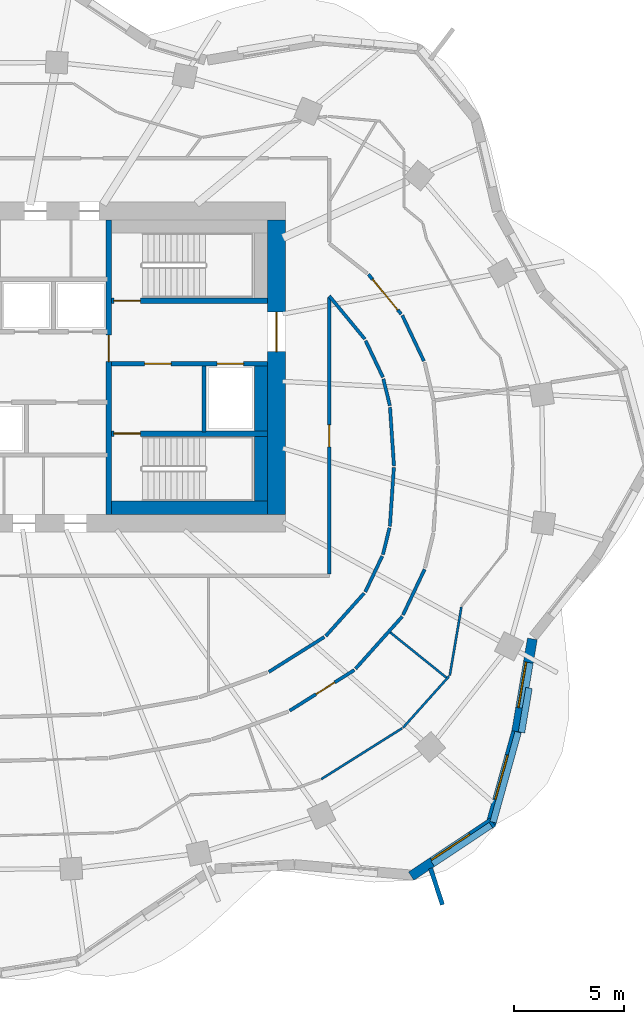
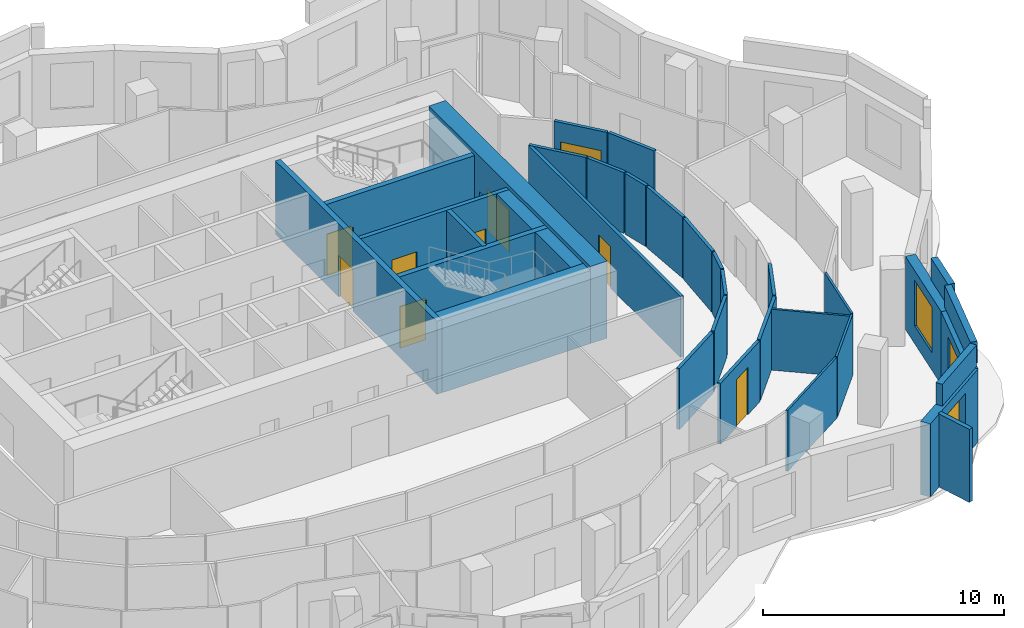
# One storey, part 6 of 10: 35 walls, 9 doors, 3 windows, 12 openings.
"""IFC4 building model written with IfcOpenShell, lengths in metres."""

import ifcopenshell
import ifcopenshell.guid

model = None  # the IFC model being written
_history = None  # IfcOwnerHistory: only IFC2X3 demands one
_inside = {}  # id of a spatial element -> (the spatial element, [elements in it])
_under = {}  # id of a project, library or spatial element -> (it, [spatial elements below it])
_declared = {}  # id of a project -> (the project, [libraries it declares])
_typed = {}  # id of a type object -> (the type object, [elements of that type])
_made_of = {}  # id of a material, layer set ... -> (it, [elements and type objects made of it])


def new_model(schema):
    """Start an empty IFC model of exactly this schema.

    Asked for "IFC4X3", IfcOpenShell would pick the latest addendum, in which some entities
    have other attributes; the version numbers below select the first issue.
    IFC2X3 requires an IfcOwnerHistory on every rooted entity: one is made here for all.
    """
    global model, _history
    if schema == "IFC4X3":
        model = ifcopenshell.file(schema_version=(4, 3, 0, 0))
    else:
        model = ifcopenshell.file(schema=schema)
    _inside.clear()
    _under.clear()
    _declared.clear()
    _typed.clear()
    _made_of.clear()
    _history = None
    if model.schema == "IFC2X3":
        org = make("IfcOrganization", Name="unknown")
        user = make(
            "IfcPersonAndOrganization",
            ThePerson=make("IfcPerson", FamilyName="unknown"),
            TheOrganization=org,
        )
        app = make(
            "IfcApplication",
            ApplicationDeveloper=org,
            Version="unknown",
            ApplicationFullName="unknown",
            ApplicationIdentifier="unknown",
        )
        _history = make(
            "IfcOwnerHistory",
            OwningUser=user,
            OwningApplication=app,
            ChangeAction="ADDED",
            CreationDate=0,
        )
    return model


def make(cls, **values):
    """One entity of the class cls with the attributes given. An attribute that is None is left unset."""
    return model.create_entity(
        cls, **{name: value for name, value in values.items() if value is not None}
    )


def rooted(cls, **values):
    """An entity with a GlobalId (a new one), such as an element, a storey or a relation."""
    return make(cls, GlobalId=ifcopenshell.guid.new(), OwnerHistory=_history, **values)


def si_unit(unit_type, name, prefix=None):
    """IfcSIUnit, for example si_unit("LENGTHUNIT", "METRE", prefix="MILLI")."""
    return make("IfcSIUnit", UnitType=unit_type, Prefix=prefix, Name=name)


def assignment(units):
    """IfcUnitAssignment: the units of a project."""
    return None if units is None else make("IfcUnitAssignment", Units=units)


def point(xyz):
    """IfcCartesianPoint."""
    return None if xyz is None else make("IfcCartesianPoint", Coordinates=xyz)


def direction(xyz):
    """IfcDirection."""
    return None if xyz is None else make("IfcDirection", DirectionRatios=xyz)


def frame(location, z_axis=None, x_axis=None):
    """IfcAxis2Placement3D, a coordinate frame: its origin and axes. An axis left out is left unset."""
    return make(
        "IfcAxis2Placement3D",
        Location=point(location),
        Axis=direction(z_axis),
        RefDirection=direction(x_axis),
    )


def frame_2d(location, x_axis=None):
    """IfcAxis2Placement2D, a coordinate frame in the plane: its origin and x axis."""
    return make(
        "IfcAxis2Placement2D", Location=point(location), RefDirection=direction(x_axis)
    )


def origin():
    """The frame at (0, 0, 0) with its axes left unset."""
    return frame((0.0, 0.0, 0.0))


def place(relative_to, where):
    """IfcLocalPlacement: puts the frame where relative to a parent placement (None: the world)."""
    return make(
        "IfcLocalPlacement", PlacementRelTo=relative_to, RelativePlacement=where
    )


def context(
    kind, dimensions, precision=None, world=None, true_north=None, identifier=None
):
    """IfcGeometricRepresentationContext, for example the 3D "Model" context."""
    return make(
        "IfcGeometricRepresentationContext",
        ContextIdentifier=identifier,
        ContextType=kind,
        CoordinateSpaceDimension=dimensions,
        Precision=precision,
        WorldCoordinateSystem=world,
        TrueNorth=true_north,
    )


def subcontext(parent, identifier, kind, view, scale=None):
    """IfcGeometricRepresentationSubContext, for example "Body" below "Model"."""
    return make(
        "IfcGeometricRepresentationSubContext",
        ContextIdentifier=identifier,
        ContextType=kind,
        ParentContext=parent,
        TargetScale=scale,
        TargetView=view,
    )


def project(units=None, contexts=None):
    """IfcProject with its units and contexts."""
    return rooted(
        "IfcProject",
        Name="project",
        RepresentationContexts=contexts,
        UnitsInContext=assignment(units),
    )


def spatial(cls, under=None, at=None, **own):
    """A site, building, storey or space (cls), placed at a placement, below another one or the project."""
    s = rooted(cls, ObjectPlacement=at, **own)
    if under is not None:
        _under.setdefault(under.id(), (under, []))[1].append(s)
    return s


def profile(cls, at=None, kind="AREA", **sizes):
    """A parametric profile (cls). Its sizes go by their IFC names, for example OverallWidth=200.0."""
    return make(cls, ProfileType=kind, Position=at, **sizes)


def rectangle(**sizes):
    """IfcRectangleProfileDef."""
    return profile("IfcRectangleProfileDef", **sizes)


def extrude(swept, where, along, depth):
    """IfcExtrudedAreaSolid: the profile swept, set in the frame where, extruded along a direction by depth."""
    return make(
        "IfcExtrudedAreaSolid",
        SweptArea=swept,
        Position=where,
        ExtrudedDirection=direction(along),
        Depth=depth,
    )


def shape(context_of_items, identifier, shape_type, items):
    """IfcShapeRepresentation: the items that make up one representation, for example the "Body"."""
    return make(
        "IfcShapeRepresentation",
        ContextOfItems=context_of_items,
        RepresentationIdentifier=identifier,
        RepresentationType=shape_type,
        Items=items,
    )


def material(Name=None, Category=None):
    """IfcMaterial."""
    return make("IfcMaterial", Name=Name, Category=Category)


def layer(
    of_material, thickness, ventilated=None, Name=None, Category=None, Priority=None
):
    """IfcMaterialLayer: one layer of a wall or slab, of a material (None: an air gap)."""
    return make(
        "IfcMaterialLayer",
        Material=of_material,
        LayerThickness=thickness,
        IsVentilated=ventilated,
        Name=Name,
        Category=Category,
        Priority=Priority,
    )


def layer_set(layers, Name=None):
    """IfcMaterialLayerSet."""
    return make("IfcMaterialLayerSet", MaterialLayers=layers, LayerSetName=Name)


def made_of(thing, what):
    """Note that an element or type object is made of a material, layer set ...; save() writes the relation."""
    if what is not None:
        _made_of.setdefault(what.id(), (what, []))[1].append(thing)
    return thing


def type_object(cls, material=None, **own):
    """A type object (cls), such as IfcWallType, which elements share."""
    return made_of(rooted(cls, **own), material)


def element(
    cls,
    number,
    at=None,
    inside=None,
    cuts=None,
    type_object=None,
    material=None,
    context=None,
    identifier="Body",
    shape_type=None,
    held_by="IfcProductDefinitionShape",
    body=None,
    shapes=None,
    **own,
):
    """One element of the class cls, such as IfcWall. Its Tag is "e" and its number.

    at: its placement. inside: the storey or other place that contains it. cuts: it is an
    opening in that element (IfcRelVoidsElement). A single representation is given by context,
    identifier, shape_type and body (its items); several are given by shapes. held_by: the class
    of the entity that holds the representations. save() writes the other relations.
    """
    e = rooted(cls, Tag="e%d" % number, ObjectPlacement=at, **own)
    if body is not None:
        shapes = [shape(context, identifier, shape_type, body)]
    if shapes is not None:
        e.Representation = make(held_by, Representations=shapes)
    if inside is not None:
        _inside.setdefault(inside.id(), (inside, []))[1].append(e)
    if cuts is not None:
        rooted(
            "IfcRelVoidsElement", RelatingBuildingElement=cuts, RelatedOpeningElement=e
        )
    if type_object is not None:
        _typed.setdefault(type_object.id(), (type_object, []))[1].append(e)
    return made_of(e, material)


def fill(opening, filler):
    """IfcRelFillsElement: the door or window that sits in an opening."""
    return rooted(
        "IfcRelFillsElement",
        RelatingOpeningElement=opening,
        RelatedBuildingElement=filler,
    )


def aggregate(whole, parts):
    """IfcRelAggregates: a whole, such as a stair, and the parts it consists of."""
    return rooted("IfcRelAggregates", RelatingObject=whole, RelatedObjects=parts)


def save(model, path):
    """Write the relations noted so far, then the file.

    IfcRelAggregates (storeys below a building ...), IfcRelContainedInSpatialStructure (elements
    in a storey), IfcRelDefinesByType, IfcRelAssociatesMaterial and IfcRelDeclares: one each for
    every whole, place, type object, material and project.
    """
    for whole, parts in _under.values():
        aggregate(whole, parts)
    for where, things in _inside.values():
        rooted(
            "IfcRelContainedInSpatialStructure",
            RelatedElements=things,
            RelatingStructure=where,
        )
    for kind, things in _typed.values():
        rooted("IfcRelDefinesByType", RelatedObjects=things, RelatingType=kind)
    for what, things in _made_of.values():
        rooted("IfcRelAssociatesMaterial", RelatedObjects=things, RelatingMaterial=what)
    for by, libraries in _declared.values():
        rooted("IfcRelDeclares", RelatingContext=by, RelatedDefinitions=libraries)
    model.write(path)


model = new_model("IFC4")

# Units and contexts
model_context = context("Model", 3, precision=1e-05, world=origin(), true_north=direction((0.0, 1.0)))
body_context = subcontext(model_context, "Body", "Model", "MODEL_VIEW")
ifc_project = project(units=[si_unit("LENGTHUNIT", "METRE"), si_unit("AREAUNIT", "SQUARE_METRE"), si_unit("VOLUMEUNIT", "CUBIC_METRE"), si_unit("PLANEANGLEUNIT", "RADIAN"), si_unit("MASSUNIT", "GRAM", prefix="KILO")], contexts=[model_context])

# Site, building, storey
site_placement = place(None, origin())
site = spatial("IfcSite", under=ifc_project, at=site_placement, CompositionType="ELEMENT")
building_placement = place(site_placement, origin())
building = spatial("IfcBuilding", under=site, at=building_placement, Name="Rubra Terraces Tower", CompositionType="ELEMENT")
storey_placement = place(building_placement, frame((0.0, 0.0, 205.199951171875)))
storey = spatial("IfcBuildingStorey", under=building, at=storey_placement, Name="L50", CompositionType="ELEMENT", Elevation=205.199951171875)

# Wall, opening, window
ifc_material_1 = material(Name="Brick masonry red-brown", Category="masonry")
ifc_layer_1 = layer(ifc_material_1, 0.449951171875)
ifc_layer_set_1 = layer_set([ifc_layer_1], Name="Brick masonry red-brown")
wall_type_1 = type_object("IfcWallType", Name="Brick facade wall 450", PredefinedType="SOLIDWALL", material=ifc_layer_set_1)
wall_1_placement = place(storey_placement, frame((18.7255859375, -18.66259765625, 0.0), z_axis=(0.0, 0.0, 1.0), x_axis=(0.83333921474, 0.552761931736, 0.0)))
wall_1 = element("IfcWall", 1, at=wall_1_placement, inside=storey, type_object=wall_type_1, Name="Facade wall L50 bay 36", PredefinedType="SOLIDWALL", context=body_context, shape_type="SweptSolid", body=[
    extrude(rectangle(XDim=4.45068359375, YDim=0.449951171875, at=frame_2d((2.225341796875, 0.0))), origin(), (0.0, 0.0, 1.0), 3.699951171875),
])
opening_1_placement = place(wall_1_placement, frame((1.17529296875, 0.0, 0.89990234375)))
opening_1 = element("IfcOpeningElement", 2, at=opening_1_placement, cuts=wall_1, Name="Opening W1B", PredefinedType="OPENING", context=body_context, shape_type="SweptSolid", body=[
    extrude(rectangle(XDim=2.10009765625, YDim=2.300048828125, at=frame_2d((1.050048828125, 1.14990234375))), frame((0.0, 0.23486328125, 0.0), z_axis=(0.0, -1.0, 0.0), x_axis=(1.0, 0.0, 0.0)), (0.0, 0.0, 1.0), 0.469970703125),
])
ifc_material_2 = material(Name="Clear glass in aluminium frame", Category="aluminium")
window_type = type_object("IfcWindowType", Name="Fixed deep-set window tall storey 2100 x 2300", PartitioningType="SINGLE_PANEL", PredefinedType="WINDOW", material=ifc_material_2)
window_1_placement = place(opening_1_placement, origin())
window_1 = element("IfcWindow", 3, at=window_1_placement, inside=storey, type_object=window_type, Name="Window L50 bay 36", OverallHeight=2.300048828125, OverallWidth=2.10009765625, PartitioningType="SINGLE_PANEL", PredefinedType="WINDOW", context=body_context, shape_type="SweptSolid", body=[
    extrude(rectangle(XDim=2.10009765625, YDim=2.300048828125, at=frame_2d((1.050048828125, 1.14990234375))), frame((0.0, 0.135009765625, 0.0), z_axis=(0.0, -1.0, 0.0), x_axis=(1.0, 0.0, 0.0)), (0.0, 0.0, 1.0), 0.06005859375),
])
fill(opening_1, window_1)

wall_2_placement = place(storey_placement, frame((22.343505859375, -16.32568359375, 0.0), z_axis=(0.0, 0.0, 1.0), x_axis=(0.267925456304, 0.963439645159, 0.0)))
wall_2 = element("IfcWall", 4, at=wall_2_placement, inside=storey, type_object=wall_type_1, Name="Facade wall L50 bay 37", PredefinedType="SOLIDWALL", context=body_context, shape_type="SweptSolid", body=[
    extrude(rectangle(XDim=4.4267578125, YDim=0.449951171875, at=frame_2d((2.21337890625, 0.0))), origin(), (0.0, 0.0, 1.0), 3.699951171875),
])
opening_2_placement = place(wall_2_placement, frame((1.16357421875, 0.0, 0.89990234375)))
opening_2 = element("IfcOpeningElement", 5, at=opening_2_placement, cuts=wall_2, Name="Opening W1B", PredefinedType="OPENING", context=body_context, shape_type="SweptSolid", body=[
    extrude(rectangle(XDim=2.10009765625, YDim=2.300048828125, at=frame_2d((1.050048828125, 1.14990234375))), frame((0.0, 0.23486328125, 0.0), z_axis=(0.0, -1.0, 0.0), x_axis=(1.0, 0.0, 0.0)), (0.0, 0.0, 1.0), 0.469970703125),
])
window_2_placement = place(opening_2_placement, origin())
window_2 = element("IfcWindow", 6, at=window_2_placement, inside=storey, type_object=window_type, Name="Window L50 bay 37", OverallHeight=2.300048828125, OverallWidth=2.10009765625, PartitioningType="SINGLE_PANEL", PredefinedType="WINDOW", context=body_context, shape_type="SweptSolid", body=[
    extrude(rectangle(XDim=2.10009765625, YDim=2.300048828125, at=frame_2d((1.050048828125, 1.14990234375))), frame((0.0, 0.135009765625, 0.0), z_axis=(0.0, -1.0, 0.0), x_axis=(1.0, 0.0, 0.0)), (0.0, 0.0, 1.0), 0.06005859375),
])
fill(opening_2, window_2)

wall_3_placement = place(storey_placement, frame((23.524169921875, -12.0830078125, 0.0), z_axis=(0.0, 0.0, 1.0), x_axis=(0.167445072349, 0.985881406532, 0.0)))
wall_3 = element("IfcWall", 7, at=wall_3_placement, inside=storey, type_object=wall_type_1, Name="Facade wall L50 bay 38", PredefinedType="SOLIDWALL", context=body_context, shape_type="SweptSolid", body=[
    extrude(rectangle(XDim=4.27490234375, YDim=0.449951171875, at=frame_2d((2.137451171875, 0.0))), origin(), (0.0, 0.0, 1.0), 3.699951171875),
])
opening_3_placement = place(wall_3_placement, frame((1.08740234375, 0.0, 0.89990234375)))
opening_3 = element("IfcOpeningElement", 8, at=opening_3_placement, cuts=wall_3, Name="Opening W1B", PredefinedType="OPENING", context=body_context, shape_type="SweptSolid", body=[
    extrude(rectangle(XDim=2.10009765625, YDim=2.300048828125, at=frame_2d((1.050048828125, 1.14990234375))), frame((0.0, 0.23486328125, 0.0), z_axis=(0.0, -1.0, 0.0), x_axis=(1.0, 0.0, 0.0)), (0.0, 0.0, 1.0), 0.469970703125),
])
window_3_placement = place(opening_3_placement, origin())
window_3 = element("IfcWindow", 9, at=window_3_placement, inside=storey, type_object=window_type, Name="Window L50 bay 38", OverallHeight=2.300048828125, OverallWidth=2.10009765625, PartitioningType="SINGLE_PANEL", PredefinedType="WINDOW", context=body_context, shape_type="SweptSolid", body=[
    extrude(rectangle(XDim=2.10009765625, YDim=2.300048828125, at=frame_2d((1.050048828125, 1.14990234375))), frame((0.0, 0.135009765625, 0.0), z_axis=(0.0, -1.0, 0.0), x_axis=(1.0, 0.0, 0.0)), (0.0, 0.0, 1.0), 0.06005859375),
])
fill(opening_3, window_3)

# Walls
ifc_layer_2 = layer(ifc_material_1, 0.300048828125)
ifc_layer_set_2 = layer_set([ifc_layer_2], Name="Brick masonry red-brown")
wall_type_2 = type_object("IfcWallType", Name="Brick parapet 300", PredefinedType="PARAPET", material=ifc_layer_set_2)
wall_4_placement = place(storey_placement, frame((19.70751953125, -18.101318359375, 3.900146484375), z_axis=(0.0, 0.0, 1.0), x_axis=(0.833370664286, 0.552714515738, 0.0)))
element("IfcWall", 10, at=wall_4_placement, inside=storey, type_object=wall_type_2, Name="Parapet L50 bay 36", PredefinedType="PARAPET", context=body_context, shape_type="SweptSolid", body=[
    extrude(rectangle(XDim=3.180419921875, YDim=0.300048828125, at=frame_2d((1.59033203125, 0.0))), origin(), (0.0, 0.0, 1.0), 1.099853515625),
])
wall_5_placement = place(storey_placement, frame((22.452392578125, -16.213134765625, 3.900146484375), z_axis=(0.0, 0.0, 1.0), x_axis=(0.267993020858, 0.963420853403, 0.0)))
element("IfcWall", 11, at=wall_5_placement, inside=storey, type_object=wall_type_2, Name="Parapet L50 bay 37", PredefinedType="PARAPET", context=body_context, shape_type="SweptSolid", body=[
    extrude(rectangle(XDim=4.25537109375, YDim=0.300048828125, at=frame_2d((2.127685546875, 0.0))), origin(), (0.0, 0.0, 1.0), 1.099853515625),
])
wall_6_placement = place(storey_placement, frame((23.7451171875, -12.125, 3.900146484375), z_axis=(0.0, 0.0, 1.0), x_axis=(0.16743218322, 0.985883595574, 0.0)))
element("IfcWall", 12, at=wall_6_placement, inside=storey, type_object=wall_type_2, Name="Parapet L50 bay 38", PredefinedType="PARAPET", context=body_context, shape_type="SweptSolid", body=[
    extrude(rectangle(XDim=2.048583984375, YDim=0.300048828125, at=frame_2d((1.0244140625, 0.0))), origin(), (0.0, 0.0, 1.0), 1.099853515625),
])
ifc_layer_3 = layer(ifc_material_1, 0.199951171875)
ifc_layer_set_3 = layer_set([ifc_layer_3], Name="Brick masonry red-brown")
wall_type_3 = type_object("IfcWallType", Name="Brick wind fin 200", PredefinedType="SOLIDWALL", material=ifc_layer_set_3)
wall_7_placement = place(storey_placement, frame((19.60888671875, -18.304931640625, 0.0), z_axis=(0.0, 0.0, 1.0), x_axis=(0.308600224758, -0.951191832008, 0.0)))
element("IfcWall", 13, at=wall_7_placement, inside=storey, type_object=wall_type_3, Name="Wind fin L50 22", PredefinedType="SOLIDWALL", context=body_context, shape_type="SweptSolid", body=[
    extrude(rectangle(XDim=1.75, YDim=0.199951171875, at=frame_2d((0.875, 0.0))), origin(), (0.0, 0.0, 1.0), 3.699951171875),
])

# Wall, opening, door
ifc_material_3 = material(Name="Concrete C50", Category="concrete")
ifc_layer_4 = layer(ifc_material_3, 0.800048828125)
ifc_layer_set_4 = layer_set([ifc_layer_4], Name="Concrete C50")
wall_type_4 = type_object("IfcWallType", Name="CORE WALL 800 C50", PredefinedType="SHEAR", material=ifc_layer_set_4)
wall_8_placement = place(storey_placement, frame((12.60009765625, -2.199951171875, 0.0), z_axis=(0.0, 0.0, 1.0), x_axis=(0.0, 1.0, 0.0)))
wall_8 = element("IfcWall", 14, at=wall_8_placement, inside=storey, type_object=wall_type_4, Name="CORE WALL E L50", PredefinedType="SHEAR", context=body_context, shape_type="SweptSolid", body=[
    extrude(rectangle(XDim=13.39990234375, YDim=0.800048828125, at=frame_2d((6.699951171875, 0.0))), origin(), (0.0, 0.0, 1.0), 3.900146484375),
])
opening_4_placement = place(wall_8_placement, frame((7.39990234375, 0.0, 0.0)))
opening_4 = element("IfcOpeningElement", 15, at=opening_4_placement, cuts=wall_8, Name="Opening L50.C02", PredefinedType="OPENING", context=body_context, shape_type="SweptSolid", body=[
    extrude(rectangle(XDim=1.800048828125, YDim=2.10009765625, at=frame_2d((0.89990234375, 1.050048828125))), frame((0.0, 0.409912109375, 0.0), z_axis=(0.0, -1.0, 0.0), x_axis=(1.0, 0.0, 0.0)), (0.0, 0.0, 1.0), 0.820068359375),
])
ifc_material_4 = material(Name="Painted steel", Category="steel")
door_type_1 = type_object("IfcDoorType", Name="Fire door 1800x2100 double", OperationType="NOTDEFINED", PredefinedType="DOOR", material=ifc_material_4)
door_1_placement = place(opening_4_placement, origin())
door_1 = element("IfcDoor", 16, at=door_1_placement, inside=storey, type_object=door_type_1, Name="Core entrance door FF2", OperationType="DOUBLE_DOOR_SINGLE_SWING", OverallHeight=2.10009765625, OverallWidth=1.800048828125, PredefinedType="DOOR", context=body_context, shape_type="SweptSolid", body=[
    extrude(rectangle(XDim=1.800048828125, YDim=2.10009765625, at=frame_2d((0.89990234375, 1.050048828125))), frame((0.0, 0.02490234375, 0.0), z_axis=(0.0, -1.0, 0.0), x_axis=(1.0, 0.0, 0.0)), (0.0, 0.0, 1.0), 0.050048828125),
])
fill(opening_4, door_1)

ifc_material_5 = material(Name="Plasterboard on steel stud, mineral wool infill", Category="steel")
ifc_layer_5 = layer(ifc_material_5, 0.14990234375)
ifc_layer_set_5 = layer_set([ifc_layer_5], Name="Plasterboard on steel stud, mineral wool infill")
wall_type_5 = type_object("IfcWallType", Name="CORRIDOR PARTITION 150", PredefinedType="PARTITIONING", material=ifc_layer_set_5)
wall_9_placement = place(storey_placement, frame((13.196533203125, -11.138916015625, 0.0), z_axis=(0.0, 0.0, 1.0), x_axis=(0.846390903833, 0.532562144644, 0.0)))
wall_9 = element("IfcWall", 17, at=wall_9_placement, inside=storey, type_object=wall_type_5, Name="PARTITION", PredefinedType="PARTITIONING", context=body_context, shape_type="SweptSolid", body=[
    extrude(rectangle(XDim=3.481201171875, YDim=0.14990234375, at=frame_2d((1.74072265625, 0.0))), origin(), (0.0, 0.0, 1.0), 3.083984375),
])
opening_5_placement = place(wall_9_placement, frame((1.4169921875, 0.0, 0.0)))
opening_5 = element("IfcOpeningElement", 18, at=opening_5_placement, cuts=wall_9, Name="Opening 50-108", PredefinedType="OPENING", context=body_context, shape_type="SweptSolid", body=[
    extrude(rectangle(XDim=1.0, YDim=2.39990234375, at=frame_2d((0.5, 1.199951171875))), frame((0.0, 0.0849609375, 0.0), z_axis=(0.0, -1.0, 0.0), x_axis=(1.0, 0.0, 0.0)), (0.0, 0.0, 1.0), 0.169921875),
])
ifc_material_6 = material(Name="Glazed aluminium meeting door leaf", Category="aluminium")
door_type_2 = type_object("IfcDoorType", Name="MEETING ROOM GLAZED DOOR 1000 X 2400", OperationType="SINGLE_SWING_LEFT", PredefinedType="DOOR", material=ifc_material_6)
door_2_placement = place(opening_5_placement, origin())
door_2 = element("IfcDoor", 19, at=door_2_placement, inside=storey, type_object=door_type_2, Name="DOOR 50-108", OperationType="SINGLE_SWING_RIGHT", OverallHeight=2.39990234375, OverallWidth=1.0, PredefinedType="DOOR", context=body_context, shape_type="SweptSolid", body=[
    extrude(rectangle(XDim=1.0, YDim=2.39990234375, at=frame_2d((0.5, 1.199951171875))), frame((0.0, 0.02490234375, 0.0), z_axis=(0.0, -1.0, 0.0), x_axis=(1.0, 0.0, 0.0)), (0.0, 0.0, 1.0), 0.050048828125),
])
fill(opening_5, door_2)

# Walls
wall_10_placement = place(storey_placement, frame((16.193115234375, -9.22900390625, 0.0), z_axis=(0.0, 0.0, 1.0), x_axis=(0.666882089048, 0.745163256815, 0.0)))
element("IfcWall", 20, at=wall_10_placement, inside=storey, type_object=wall_type_5, Name="PARTITION", PredefinedType="PARTITIONING", context=body_context, shape_type="SweptSolid", body=[
    extrude(rectangle(XDim=3.1904296875, YDim=0.14990234375, at=frame_2d((1.59521484375, 0.0))), origin(), (0.0, 0.0, 1.0), 3.083984375),
])
for number, where, z_axis, x_axis, name in (
    (21, (18.35302734375, -6.78369140625, 0.0), (0.0, 0.0, 1.0), (0.428086344739, 0.903737838894, 0.0), "PARTITION"),
    (22, (19.305419921875, 4.7734375, 0.0), (0.0, 0.0, 1.0), (-0.428173054138, 0.903696760927, 0.0), "PARTITION"),
):
    element("IfcWall", number, at=place(storey_placement, frame(where, z_axis=z_axis, x_axis=x_axis)), inside=storey, type_object=wall_type_5, Name=name, PredefinedType="PARTITIONING", context=body_context, shape_type="SweptSolid", body=[
        extrude(rectangle(XDim=2.299560546875, YDim=0.14990234375, at=frame_2d((1.14990234375, 0.0))), origin(), (0.0, 0.0, 1.0), 3.083984375),
    ])

# Wall, opening, door
wall_11_placement = place(storey_placement, frame((18.273193359375, 6.9091796875, 0.0), z_axis=(0.0, 0.0, 1.0), x_axis=(-0.63653648943, 0.771246586783, 0.0)))
wall_11 = element("IfcWall", 23, at=wall_11_placement, inside=storey, type_object=wall_type_5, Name="PARTITION", PredefinedType="PARTITIONING", context=body_context, shape_type="SweptSolid", body=[
    extrude(rectangle(XDim=2.341552734375, YDim=0.14990234375, at=frame_2d((1.1708984375, 0.0))), origin(), (0.0, 0.0, 1.0), 3.083984375),
])
opening_6_placement = place(wall_11_placement, frame((0.25, 0.0, 0.0)))
opening_6 = element("IfcOpeningElement", 24, at=opening_6_placement, cuts=wall_11, Name="Opening 50-110", PredefinedType="OPENING", context=body_context, shape_type="SweptSolid", body=[
    extrude(rectangle(XDim=1.800048828125, YDim=2.10009765625, at=frame_2d((0.89990234375, 1.050048828125))), frame((0.0, 0.0849609375, 0.0), z_axis=(0.0, -1.0, 0.0), x_axis=(1.0, 0.0, 0.0)), (0.0, 0.0, 1.0), 0.169921875),
])
ifc_material_7 = material(Name="Painted timber door leaf, double", Category="wood")
door_type_3 = type_object("IfcDoorType", Name="ROOM DOUBLE DOOR 1800 X 2100", OperationType="DOUBLE_DOOR_SINGLE_SWING", PredefinedType="DOOR", material=ifc_material_7)
door_3_placement = place(opening_6_placement, origin())
door_3 = element("IfcDoor", 25, at=door_3_placement, inside=storey, type_object=door_type_3, Name="DOOR 50-110", OperationType="DOUBLE_DOOR_SINGLE_SWING", OverallHeight=2.10009765625, OverallWidth=1.800048828125, PredefinedType="DOOR", context=body_context, shape_type="SweptSolid", body=[
    extrude(rectangle(XDim=1.800048828125, YDim=2.10009765625, at=frame_2d((0.89990234375, 1.050048828125))), frame((0.0, 0.02490234375, 0.0), z_axis=(0.0, -1.0, 0.0), x_axis=(1.0, 0.0, 0.0)), (0.0, 0.0, 1.0), 0.050048828125),
])
fill(opening_6, door_3)

# Walls
wall_12_placement = place(storey_placement, frame((15.0, 7.73291015625, 0.0), z_axis=(0.0, 0.0, 1.0), x_axis=(0.636601263488, -0.771193121938, 0.0)))
element("IfcWall", 26, at=wall_12_placement, inside=storey, type_object=wall_type_5, Name="PARTITION", PredefinedType="PARTITIONING", context=body_context, shape_type="SweptSolid", body=[
    extrude(rectangle(XDim=2.544921875, YDim=0.14990234375, at=frame_2d((1.2724609375, 0.0))), origin(), (0.0, 0.0, 1.0), 3.083984375),
])
wall_13_placement = place(storey_placement, frame((16.652099609375, 5.702392578125, 0.0), z_axis=(0.0, 0.0, 1.0), x_axis=(0.428126129773, -0.903718992279, 0.0)))
element("IfcWall", 27, at=wall_13_placement, inside=storey, type_object=wall_type_5, Name="PARTITION", PredefinedType="PARTITIONING", context=body_context, shape_type="SweptSolid", body=[
    extrude(rectangle(XDim=1.846435546875, YDim=0.14990234375, at=frame_2d((0.92333984375, 0.0))), origin(), (0.0, 0.0, 1.0), 3.083984375),
])
wall_14_placement = place(storey_placement, frame((17.46044921875, 3.9609375, 0.0), z_axis=(0.0, 0.0, 1.0), x_axis=(0.236655249498, -0.971593687137, 0.0)))
element("IfcWall", 28, at=wall_14_placement, inside=storey, type_object=wall_type_5, Name="PARTITION", PredefinedType="PARTITIONING", context=body_context, shape_type="SweptSolid", body=[
    extrude(rectangle(XDim=1.25146484375, YDim=0.14990234375, at=frame_2d((0.625732421875, 0.0))), origin(), (0.0, 0.0, 1.0), 3.083984375),
])
wall_15_placement = place(storey_placement, frame((17.76171875, 2.67041015625, 0.0), z_axis=(0.0, 0.0, 1.0), x_axis=(0.068135311644, -0.997676089373, 0.0)))
element("IfcWall", 29, at=wall_15_placement, inside=storey, type_object=wall_type_5, Name="PARTITION", PredefinedType="PARTITIONING", context=body_context, shape_type="SweptSolid", body=[
    extrude(rectangle(XDim=2.676513671875, YDim=0.14990234375, at=frame_2d((1.33837890625, 0.0))), origin(), (0.0, 0.0, 1.0), 3.083984375),
])
wall_16_placement = place(storey_placement, frame((17.939208984375, -0.07470703125, 0.0), z_axis=(0.0, 0.0, 1.0), x_axis=(-0.068226099283, -0.99766988497, 0.0)))
element("IfcWall", 30, at=wall_16_placement, inside=storey, type_object=wall_type_5, Name="PARTITION", PredefinedType="PARTITIONING", context=body_context, shape_type="SweptSolid", body=[
    extrude(rectangle(XDim=2.6767578125, YDim=0.14990234375, at=frame_2d((1.33837890625, 0.0))), origin(), (0.0, 0.0, 1.0), 3.083984375),
])
wall_17_placement = place(storey_placement, frame((17.739013671875, -2.818115234375, 0.0), z_axis=(0.0, 0.0, 1.0), x_axis=(-0.236884307907, -0.971537865792, 0.0)))
element("IfcWall", 31, at=wall_17_placement, inside=storey, type_object=wall_type_5, Name="PARTITION", PredefinedType="PARTITIONING", context=body_context, shape_type="SweptSolid", body=[
    extrude(rectangle(XDim=1.251220703125, YDim=0.14990234375, at=frame_2d((0.62548828125, 0.0))), origin(), (0.0, 0.0, 1.0), 3.083984375),
])
wall_18_placement = place(storey_placement, frame((17.410400390625, -4.1015625, 0.0), z_axis=(0.0, 0.0, 1.0), x_axis=(-0.428074720318, -0.903743345107, 0.0)))
element("IfcWall", 32, at=wall_18_placement, inside=storey, type_object=wall_type_5, Name="PARTITION", PredefinedType="PARTITIONING", context=body_context, shape_type="SweptSolid", body=[
    extrude(rectangle(XDim=1.8056640625, YDim=0.14990234375, at=frame_2d((0.90283203125, 0.0))), origin(), (0.0, 0.0, 1.0), 3.083984375),
])
wall_19_placement = place(storey_placement, frame((16.58740234375, -5.789306640625, 0.0), z_axis=(0.0, 0.0, 1.0), x_axis=(-0.666887460656, -0.745158449472, 0.0)))
element("IfcWall", 33, at=wall_19_placement, inside=storey, type_object=wall_type_5, Name="PARTITION", PredefinedType="PARTITIONING", context=body_context, shape_type="SweptSolid", body=[
    extrude(rectangle(XDim=2.6201171875, YDim=0.14990234375, at=frame_2d((1.31005859375, 0.0))), origin(), (0.0, 0.0, 1.0), 3.083984375),
])
wall_20_placement = place(storey_placement, frame((14.776611328125, -7.781494140625, 0.0), z_axis=(0.0, 0.0, 1.0), x_axis=(-0.846359741043, -0.532611667862, 0.0)))
element("IfcWall", 34, at=wall_20_placement, inside=storey, type_object=wall_type_5, Name="PARTITION", PredefinedType="PARTITIONING", context=body_context, shape_type="SweptSolid", body=[
    extrude(rectangle(XDim=2.9873046875, YDim=0.14990234375, at=frame_2d((1.49365234375, 0.0))), origin(), (0.0, 0.0, 1.0), 3.083984375),
])

# Wall, opening, door
wall_21_placement = place(storey_placement, frame((15.0, -4.925048828125, 0.0), z_axis=(0.0, 0.0, 1.0), x_axis=(0.0, 1.0, 0.0)))
wall_21 = element("IfcWall", 35, at=wall_21_placement, inside=storey, type_object=wall_type_5, Name="PARTITION", PredefinedType="PARTITIONING", context=body_context, shape_type="SweptSolid", body=[
    extrude(rectangle(XDim=12.5830078125, YDim=0.14990234375, at=frame_2d((6.29150390625, 0.0))), origin(), (0.0, 0.0, 1.0), 3.083984375),
])
opening_7_placement = place(wall_21_placement, frame((5.791015625, 0.0, 0.0)))
opening_7 = element("IfcOpeningElement", 36, at=opening_7_placement, cuts=wall_21, Name="Opening 50-118", PredefinedType="OPENING", context=body_context, shape_type="SweptSolid", body=[
    extrude(rectangle(XDim=1.0, YDim=2.10009765625, at=frame_2d((0.5, 1.050048828125))), frame((0.0, 0.0849609375, 0.0), z_axis=(0.0, -1.0, 0.0), x_axis=(1.0, 0.0, 0.0)), (0.0, 0.0, 1.0), 0.169921875),
])
ifc_material_8 = material(Name="Painted timber door leaf", Category="wood")
door_type_4 = type_object("IfcDoorType", Name="ROOM DOOR 1000 X 2100", OperationType="SINGLE_SWING_LEFT", PredefinedType="DOOR", material=ifc_material_8)
door_4_placement = place(opening_7_placement, origin())
door_4 = element("IfcDoor", 37, at=door_4_placement, inside=storey, type_object=door_type_4, Name="DOOR 50-118", OperationType="SINGLE_SWING_RIGHT", OverallHeight=2.10009765625, OverallWidth=1.0, PredefinedType="DOOR", context=body_context, shape_type="SweptSolid", body=[
    extrude(rectangle(XDim=1.0, YDim=2.10009765625, at=frame_2d((0.5, 1.050048828125))), frame((0.0, 0.02490234375, 0.0), z_axis=(0.0, -1.0, 0.0), x_axis=(1.0, 0.0, 0.0)), (0.0, 0.0, 1.0), 0.050048828125),
])
fill(opening_7, door_4)

# Walls
ifc_material_9 = material(Name="Concrete C40", Category="concrete")
ifc_layer_6 = layer(ifc_material_9, 0.60009765625)
ifc_layer_set_6 = layer_set([ifc_layer_6], Name="Concrete C40")
wall_type_6 = type_object("IfcWallType", Name="Core lining wall 600 concrete", PredefinedType="SOLIDWALL", material=ifc_layer_set_6)
wall_22_placement = place(storey_placement, frame((11.89990234375, 4.550048828125, 0.0), z_axis=(0.0, 0.0, 1.0), x_axis=(0.0, -1.0, 0.0)))
element("IfcWall", 38, at=wall_22_placement, inside=storey, type_object=wall_type_6, Name="CORE LINING WALL L50", PredefinedType="SOLIDWALL", context=body_context, shape_type="SweptSolid", body=[
    extrude(rectangle(XDim=3.0, YDim=0.60009765625, at=frame_2d((1.5, 0.0))), origin(), (0.0, 0.0, 1.0), 3.699951171875),
])
wall_23_placement = place(storey_placement, frame((11.89990234375, 1.35009765625, 0.0), z_axis=(0.0, 0.0, 1.0), x_axis=(0.0, -1.0, 0.0)))
element("IfcWall", 39, at=wall_23_placement, inside=storey, type_object=wall_type_6, Name="CORE LINING WALL L50", PredefinedType="SOLIDWALL", context=body_context, shape_type="SweptSolid", body=[
    extrude(rectangle(XDim=2.9501953125, YDim=0.60009765625, at=frame_2d((1.47509765625, 0.0))), origin(), (0.0, 0.0, 1.0), 3.699951171875),
])
wall_24_placement = place(storey_placement, frame((12.199951171875, -1.89990234375, 0.0), z_axis=(0.0, 0.0, 1.0), x_axis=(-1.0, 0.0, 0.0)))
element("IfcWall", 40, at=wall_24_placement, inside=storey, type_object=wall_type_6, Name="CORE LINING WALL L50", PredefinedType="SOLIDWALL", context=body_context, shape_type="SweptSolid", body=[
    extrude(rectangle(XDim=7.099853515625, YDim=0.60009765625, at=frame_2d((3.5498046875, 0.0))), origin(), (0.0, 0.0, 1.0), 3.699951171875),
])

# Wall, openings, doors
ifc_material_10 = material(Name="Concrete C30", Category="concrete")
ifc_layer_7 = layer(ifc_material_10, 0.199951171875)
ifc_layer_set_7 = layer_set([ifc_layer_7], Name="Concrete C30")
wall_type_7 = type_object("IfcWallType", Name="Core wall 200 concrete", PredefinedType="SOLIDWALL", material=ifc_layer_set_7)
wall_25_placement = place(storey_placement, frame((12.199951171875, 4.64990234375, 0.0), z_axis=(0.0, 0.0, 1.0), x_axis=(-1.0, 0.0, 0.0)))
wall_25 = element("IfcWall", 41, at=wall_25_placement, inside=storey, type_object=wall_type_7, Name="STAIR WALL L50", PredefinedType="SOLIDWALL", context=body_context, shape_type="SweptSolid", body=[
    extrude(rectangle(XDim=7.099853515625, YDim=0.199951171875, at=frame_2d((3.5498046875, 0.0))), origin(), (0.0, 0.0, 1.0), 3.699951171875),
])
opening_8_placement = place(wall_25_placement, frame((4.39990234375, 0.0, 0.0)))
opening_8 = element("IfcOpeningElement", 42, at=opening_8_placement, cuts=wall_25, Name="Opening L50.C06", PredefinedType="OPENING", context=body_context, shape_type="SweptSolid", body=[
    extrude(rectangle(XDim=1.199951171875, YDim=2.10009765625, at=frame_2d((0.60009765625, 1.050048828125))), frame((0.0, 0.10986328125, 0.0), z_axis=(0.0, -1.0, 0.0), x_axis=(1.0, 0.0, 0.0)), (0.0, 0.0, 1.0), 0.219970703125),
])
opening_9_placement = place(wall_25_placement, frame((1.10009765625, 0.0, 0.0)))
opening_9 = element("IfcOpeningElement", 43, at=opening_9_placement, cuts=wall_25, Name="Opening L50.C12", PredefinedType="OPENING", context=body_context, shape_type="SweptSolid", body=[
    extrude(rectangle(XDim=1.199951171875, YDim=2.10009765625, at=frame_2d((0.60009765625, 1.050048828125))), frame((0.0, 0.10986328125, 0.0), z_axis=(0.0, -1.0, 0.0), x_axis=(1.0, 0.0, 0.0)), (0.0, 0.0, 1.0), 0.219970703125),
])
door_type_5 = type_object("IfcDoorType", Name="Fire door 1200x2100 single", OperationType="NOTDEFINED", PredefinedType="DOOR", material=ifc_material_4)
door_5_placement = place(opening_8_placement, origin())
door_5 = element("IfcDoor", 44, at=door_5_placement, inside=storey, type_object=door_type_5, Name="Stair vestibule door S4", OperationType="SINGLE_SWING_RIGHT", OverallHeight=2.10009765625, OverallWidth=1.199951171875, PredefinedType="DOOR", context=body_context, shape_type="SweptSolid", body=[
    extrude(rectangle(XDim=1.199951171875, YDim=2.10009765625, at=frame_2d((0.60009765625, 1.050048828125))), frame((0.0, 0.02490234375, 0.0), z_axis=(0.0, -1.0, 0.0), x_axis=(1.0, 0.0, 0.0)), (0.0, 0.0, 1.0), 0.050048828125),
])
fill(opening_8, door_5)
ifc_material_11 = material(Name="Stainless steel", Category="steel")
door_type_6 = type_object("IfcDoorType", Name="Lift landing door 1200x2100", OperationType="NOTDEFINED", PredefinedType="DOOR", material=ifc_material_11)
door_6_placement = place(opening_9_placement, origin())
door_6 = element("IfcDoor", 45, at=door_6_placement, inside=storey, type_object=door_type_6, Name="Landing door FF2", OperationType="SLIDING_TO_RIGHT", OverallHeight=2.10009765625, OverallWidth=1.199951171875, PredefinedType="DOOR", context=body_context, shape_type="SweptSolid", body=[
    extrude(rectangle(XDim=1.199951171875, YDim=2.10009765625, at=frame_2d((0.60009765625, 1.050048828125))), frame((0.0, 0.02490234375, 0.0), z_axis=(0.0, -1.0, 0.0), x_axis=(1.0, 0.0, 0.0)), (0.0, 0.0, 1.0), 0.050048828125),
])
fill(opening_9, door_6)

# Walls
wall_26_placement = place(storey_placement, frame((9.300048828125, 4.550048828125, 0.0), z_axis=(0.0, 0.0, 1.0), x_axis=(0.0, -1.0, 0.0)))
element("IfcWall", 46, at=wall_26_placement, inside=storey, type_object=wall_type_7, Name="STAIR WALL L50", PredefinedType="SOLIDWALL", context=body_context, shape_type="SweptSolid", body=[
    extrude(rectangle(XDim=3.0, YDim=0.199951171875, at=frame_2d((1.5, 0.0))), origin(), (0.0, 0.0, 1.0), 3.699951171875),
])
ifc_material_12 = material(Name="Plasterboard on steel stud", Category="steel")
ifc_layer_8 = layer(ifc_material_12, 0.10009765625)
ifc_layer_set_8 = layer_set([ifc_layer_8], Name="Plasterboard on steel stud")
wall_type_8 = type_object("IfcWallType", Name="ROOM PARTITION 100", PredefinedType="PARTITIONING", material=ifc_layer_set_8)
wall_27_placement = place(storey_placement, frame((21.010986328125, -6.42431640625, 0.0), z_axis=(0.0, 0.0, 1.0), x_axis=(-0.167360753367, -0.985895723813, 0.0)))
element("IfcWall", 47, at=wall_27_placement, inside=storey, type_object=wall_type_8, Name="PARTITION", PredefinedType="PARTITIONING", context=body_context, shape_type="SweptSolid", body=[
    extrude(rectangle(XDim=3.15380859375, YDim=0.10009765625, at=frame_2d((1.576904296875, 0.0))), origin(), (0.0, 0.0, 1.0), 3.083984375),
])
wall_28_placement = place(storey_placement, frame((20.44970703125, -9.571044921875, 0.0), z_axis=(0.0, 0.0, 1.0), x_axis=(-0.666910888996, -0.745137481368, 0.0)))
element("IfcWall", 48, at=wall_28_placement, inside=storey, type_object=wall_type_8, Name="PARTITION", PredefinedType="PARTITIONING", context=body_context, shape_type="SweptSolid", body=[
    extrude(rectangle(XDim=3.136474609375, YDim=0.10009765625, at=frame_2d((1.568359375, 0.0))), origin(), (0.0, 0.0, 1.0), 3.083984375),
])
wall_29_placement = place(storey_placement, frame((18.315673828125, -11.934814453125, 0.0), z_axis=(0.0, 0.0, 1.0), x_axis=(-0.84637539713, -0.532586788358, 0.0)))
element("IfcWall", 49, at=wall_29_placement, inside=storey, type_object=wall_type_8, Name="PARTITION", PredefinedType="PARTITIONING", context=body_context, shape_type="SweptSolid", body=[
    extrude(rectangle(XDim=4.34619140625, YDim=0.10009765625, at=frame_2d((2.173095703125, 0.0))), origin(), (0.0, 0.0, 1.0), 3.083984375),
])
wall_30_placement = place(storey_placement, frame((17.774169921875, -7.57470703125, 0.0), z_axis=(0.0, 0.0, 1.0), x_axis=(0.779013458918, -0.627007201573, 0.0)))
element("IfcWall", 50, at=wall_30_placement, inside=storey, type_object=wall_type_8, Name="PARTITION", PredefinedType="PARTITIONING", context=body_context, shape_type="SweptSolid", body=[
    extrude(rectangle(XDim=3.27978515625, YDim=0.10009765625, at=frame_2d((1.639892578125, 0.0))), origin(), (0.0, 0.0, 1.0), 3.083984375),
])

# Wall, opening, door
ifc_layer_9 = layer(ifc_material_9, 0.25)
ifc_layer_set_9 = layer_set([ifc_layer_9], Name="Concrete C40")
wall_type_9 = type_object("IfcWallType", Name="Stair enclosure wall 250 concrete", PredefinedType="SOLIDWALL", material=ifc_layer_set_9)
wall_31_placement = place(storey_placement, frame((12.199951171875, 7.52490234375, 0.0), z_axis=(0.0, 0.0, 1.0), x_axis=(-1.0, 0.0, 0.0)))
wall_31 = element("IfcWall", 51, at=wall_31_placement, inside=storey, type_object=wall_type_9, Name="STAIR WALL L50", PredefinedType="SOLIDWALL", context=body_context, shape_type="SweptSolid", body=[
    extrude(rectangle(XDim=7.099853515625, YDim=0.25, at=frame_2d((3.5498046875, 0.0))), origin(), (0.0, 0.0, 1.0), 3.699951171875),
])
opening_10_placement = place(wall_31_placement, frame((5.800048828125, 0.0, 0.0)))
opening_10 = element("IfcOpeningElement", 52, at=opening_10_placement, cuts=wall_31, Name="Opening L50.C08", PredefinedType="OPENING", context=body_context, shape_type="SweptSolid", body=[
    extrude(rectangle(XDim=1.199951171875, YDim=2.10009765625, at=frame_2d((0.60009765625, 1.050048828125))), frame((0.0, 0.135009765625, 0.0), z_axis=(0.0, -1.0, 0.0), x_axis=(1.0, 0.0, 0.0)), (0.0, 0.0, 1.0), 0.27001953125),
])
door_7_placement = place(opening_10_placement, origin())
door_7 = element("IfcDoor", 53, at=door_7_placement, inside=storey, type_object=door_type_5, Name="Stair door S3", OperationType="SINGLE_SWING_RIGHT", OverallHeight=2.10009765625, OverallWidth=1.199951171875, PredefinedType="DOOR", context=body_context, shape_type="SweptSolid", body=[
    extrude(rectangle(XDim=1.199951171875, YDim=2.10009765625, at=frame_2d((0.60009765625, 1.050048828125))), frame((0.0, 0.02490234375, 0.0), z_axis=(0.0, -1.0, 0.0), x_axis=(1.0, 0.0, 0.0)), (0.0, 0.0, 1.0), 0.050048828125),
])
fill(opening_10, door_7)

wall_32_placement = place(storey_placement, frame((12.199951171875, 1.47509765625, 0.0), z_axis=(0.0, 0.0, 1.0), x_axis=(-1.0, 0.0, 0.0)))
wall_32 = element("IfcWall", 54, at=wall_32_placement, inside=storey, type_object=wall_type_9, Name="STAIR WALL L50", PredefinedType="SOLIDWALL", context=body_context, shape_type="SweptSolid", body=[
    extrude(rectangle(XDim=7.099853515625, YDim=0.25, at=frame_2d((3.5498046875, 0.0))), origin(), (0.0, 0.0, 1.0), 3.699951171875),
])
opening_11_placement = place(wall_32_placement, frame((5.800048828125, 0.0, 0.0)))
opening_11 = element("IfcOpeningElement", 55, at=opening_11_placement, cuts=wall_32, Name="Opening L50.C10", PredefinedType="OPENING", context=body_context, shape_type="SweptSolid", body=[
    extrude(rectangle(XDim=1.199951171875, YDim=2.10009765625, at=frame_2d((0.60009765625, 1.050048828125))), frame((0.0, 0.135009765625, 0.0), z_axis=(0.0, -1.0, 0.0), x_axis=(1.0, 0.0, 0.0)), (0.0, 0.0, 1.0), 0.27001953125),
])
door_8_placement = place(opening_11_placement, origin())
door_8 = element("IfcDoor", 56, at=door_8_placement, inside=storey, type_object=door_type_5, Name="Stair door S4", OperationType="SINGLE_SWING_RIGHT", OverallHeight=2.10009765625, OverallWidth=1.199951171875, PredefinedType="DOOR", context=body_context, shape_type="SweptSolid", body=[
    extrude(rectangle(XDim=1.199951171875, YDim=2.10009765625, at=frame_2d((0.60009765625, 1.050048828125))), frame((0.0, 0.02490234375, 0.0), z_axis=(0.0, -1.0, 0.0), x_axis=(1.0, 0.0, 0.0)), (0.0, 0.0, 1.0), 0.050048828125),
])
fill(opening_11, door_8)

wall_33_placement = place(storey_placement, frame((4.97509765625, 11.199951171875, 0.0), z_axis=(0.0, 0.0, 1.0), x_axis=(0.0, -1.0, 0.0)))
wall_33 = element("IfcWall", 57, at=wall_33_placement, inside=storey, type_object=wall_type_9, Name="CORE LOBBY WALL L50", PredefinedType="SOLIDWALL", context=body_context, shape_type="SweptSolid", body=[
    extrude(rectangle(XDim=13.39990234375, YDim=0.25, at=frame_2d((6.699951171875, 0.0))), origin(), (0.0, 0.0, 1.0), 3.699951171875),
])
opening_12_placement = place(wall_33_placement, frame((5.25, 0.0, 0.0)))
opening_12 = element("IfcOpeningElement", 58, at=opening_12_placement, cuts=wall_33, Name="Opening L50.C04", PredefinedType="OPENING", context=body_context, shape_type="SweptSolid", body=[
    extrude(rectangle(XDim=1.199951171875, YDim=2.10009765625, at=frame_2d((0.60009765625, 1.050048828125))), frame((0.0, 0.135009765625, 0.0), z_axis=(0.0, -1.0, 0.0), x_axis=(1.0, 0.0, 0.0)), (0.0, 0.0, 1.0), 0.27001953125),
])
door_9_placement = place(opening_12_placement, origin())
door_9 = element("IfcDoor", 59, at=door_9_placement, inside=storey, type_object=door_type_5, Name="Firefighting lobby door FF2", OperationType="SINGLE_SWING_RIGHT", OverallHeight=2.10009765625, OverallWidth=1.199951171875, PredefinedType="DOOR", context=body_context, shape_type="SweptSolid", body=[
    extrude(rectangle(XDim=1.199951171875, YDim=2.10009765625, at=frame_2d((0.60009765625, 1.050048828125))), frame((0.0, 0.02490234375, 0.0), z_axis=(0.0, -1.0, 0.0), x_axis=(1.0, 0.0, 0.0)), (0.0, 0.0, 1.0), 0.050048828125),
])
fill(opening_12, door_9)

save(model, "model.ifc")
